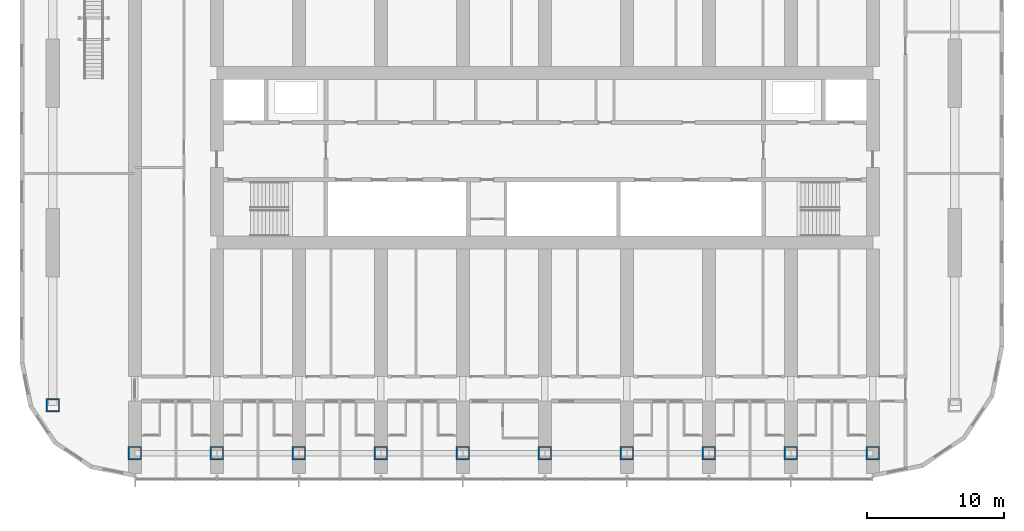
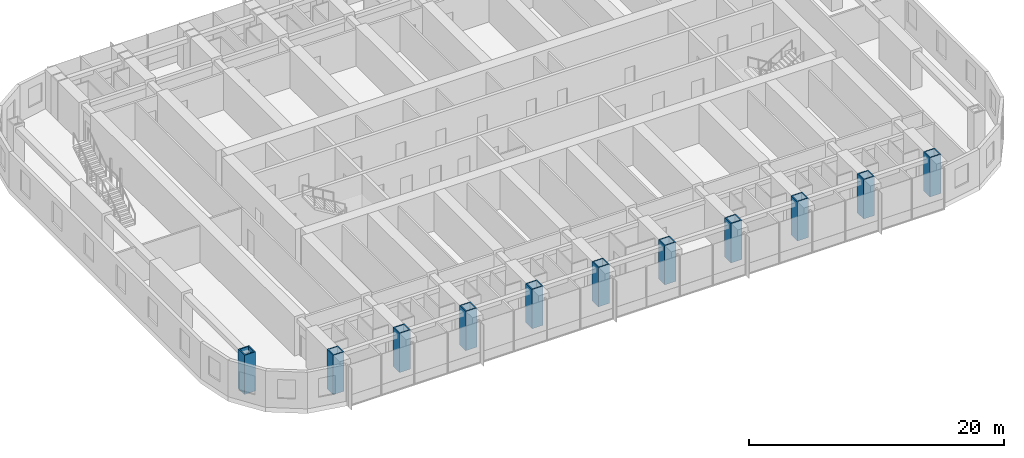
# One storey, part 1 of 25: 11 columns.
"""IFC4 building model written with IfcOpenShell, lengths in metres."""

from ifc_helpers import new_model, si_unit, direction, frame, origin, origin_2d, place, context, subcontext, project, spatial, hollow_rectangle, extrude, material, material_profile, profile_set, type_object, element, save


model = new_model("IFC4")

# Units and contexts
model_context = context("Model", 3, precision=1e-05, world=origin(), true_north=direction((0.0, 1.0)))
body_context = subcontext(model_context, "Body", "Model", "MODEL_VIEW")
ifc_project = project(units=[si_unit("LENGTHUNIT", "METRE"), si_unit("AREAUNIT", "SQUARE_METRE"), si_unit("VOLUMEUNIT", "CUBIC_METRE"), si_unit("PLANEANGLEUNIT", "RADIAN"), si_unit("MASSUNIT", "GRAM", prefix="KILO")], contexts=[model_context])

# Site, building, storey
site_placement = place(None, origin())
site = spatial("IfcSite", under=ifc_project, at=site_placement, CompositionType="ELEMENT")
building_placement = place(site_placement, origin())
building = spatial("IfcBuilding", under=site, at=building_placement, Name="Orbita Commons", CompositionType="ELEMENT")
storey_placement = place(building_placement, frame((0.0, 0.0, 84.39990234375)))
storey = spatial("IfcBuildingStorey", under=building, at=storey_placement, Name="L20", CompositionType="ELEMENT", Elevation=84.39990234375)

# Columns
ifc_material = material(Name="Steel ASTM A572 Gr 50 welded plate", Category="steel")
ifc_material_profile = material_profile(ifc_material, hollow_rectangle(XDim=1.0, YDim=1.0, WallThickness=0.10009765625, at=origin_2d()), Name="BOX 1000x1000x100")
ifc_profile_set = profile_set([ifc_material_profile], Name="Steel ASTM A572 Gr 50 welded plate")
column_type = type_object("IfcColumnType", Name="Steel column BOX 1000x1000x100", PredefinedType="COLUMN", material=ifc_profile_set)
for number, where, z_axis, x_axis, name in (
    (1, (12.0, 10.39990234375, 0.0), (0.0, 0.0, 1.0), (1.0, 0.0, 0.0), "Column 3/B L20"),
    (2, (18.0, 10.39990234375, 0.0), (0.0, 0.0, 1.0), (1.0, 0.0, 0.0), "Column 4/B L20"),
    (3, (24.0, 10.39990234375, 0.0), (0.0, 0.0, 1.0), (1.0, 0.0, 0.0), "Column 5/B L20"),
    (4, (30.0, 10.39990234375, 0.0), (0.0, 0.0, 1.0), (1.0, 0.0, 0.0), "Column 6/B L20"),
    (5, (36.0, 10.39990234375, 0.0), (0.0, 0.0, 1.0), (1.0, 0.0, 0.0), "Column 7/B L20"),
    (6, (42.0, 10.39990234375, 0.0), (0.0, 0.0, 1.0), (1.0, 0.0, 0.0), "Column 8/B L20"),
    (7, (48.0, 10.39990234375, 0.0), (0.0, 0.0, 1.0), (1.0, 0.0, 0.0), "Column 9/B L20"),
    (8, (54.0, 10.39990234375, 0.0), (0.0, 0.0, 1.0), (1.0, 0.0, 0.0), "Column 10/B L20"),
    (9, (60.0, 10.39990234375, 0.0), (0.0, 0.0, 1.0), (1.0, 0.0, 0.0), "Column 11/B L20"),
    (10, (66.0, 10.39990234375, 0.0), (0.0, 0.0, 1.0), (1.0, 0.0, 0.0), "Column 12/B L20"),
    (11, (6.0, 13.89990234375, 0.0), (0.0, 0.0, 1.0), (1.0, 0.0, 0.0), "Column 2/13.9 L20"),
):
    element("IfcColumn", number, at=place(storey_placement, frame(where, z_axis=z_axis, x_axis=x_axis)), inside=storey, type_object=column_type, Name=name, PredefinedType="COLUMN", context=body_context, shape_type="SweptSolid", body=[
        extrude(hollow_rectangle(XDim=1.0, YDim=1.0, WallThickness=0.10009765625, at=origin_2d()), origin(), (0.0, 0.0, 1.0), 3.75),
    ])

save(model, "model.ifc")
